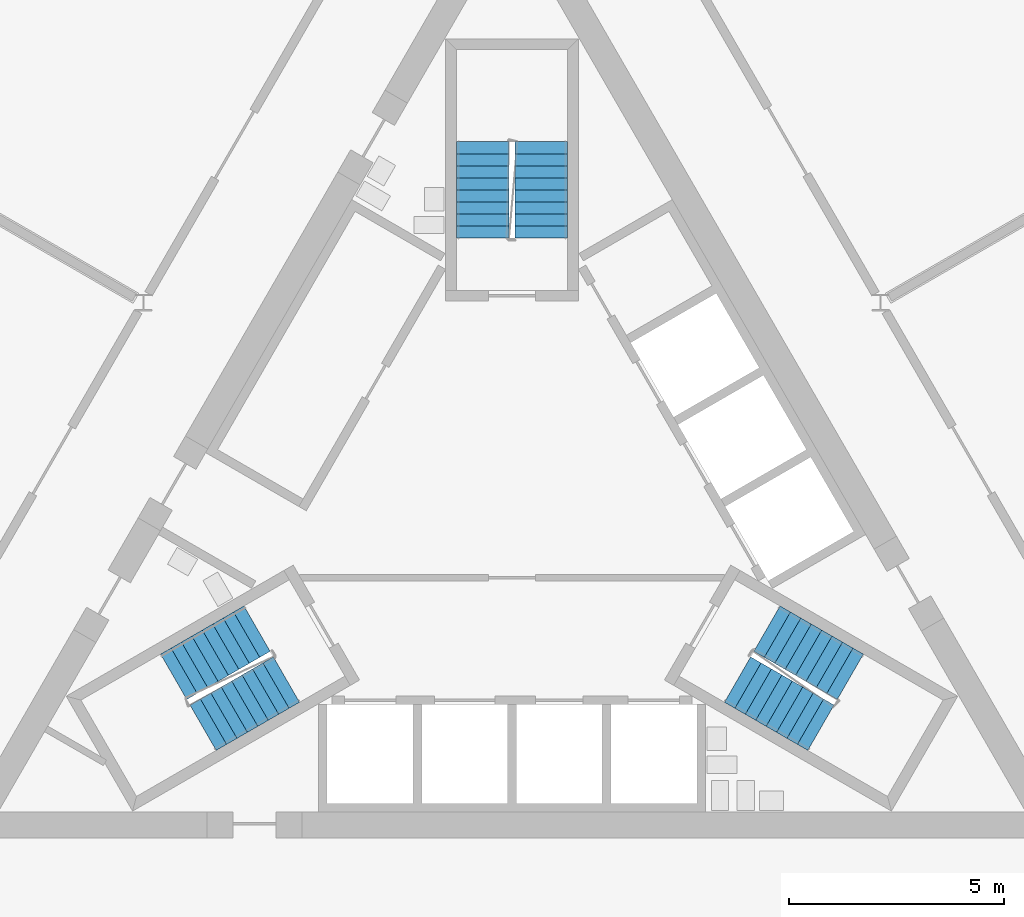
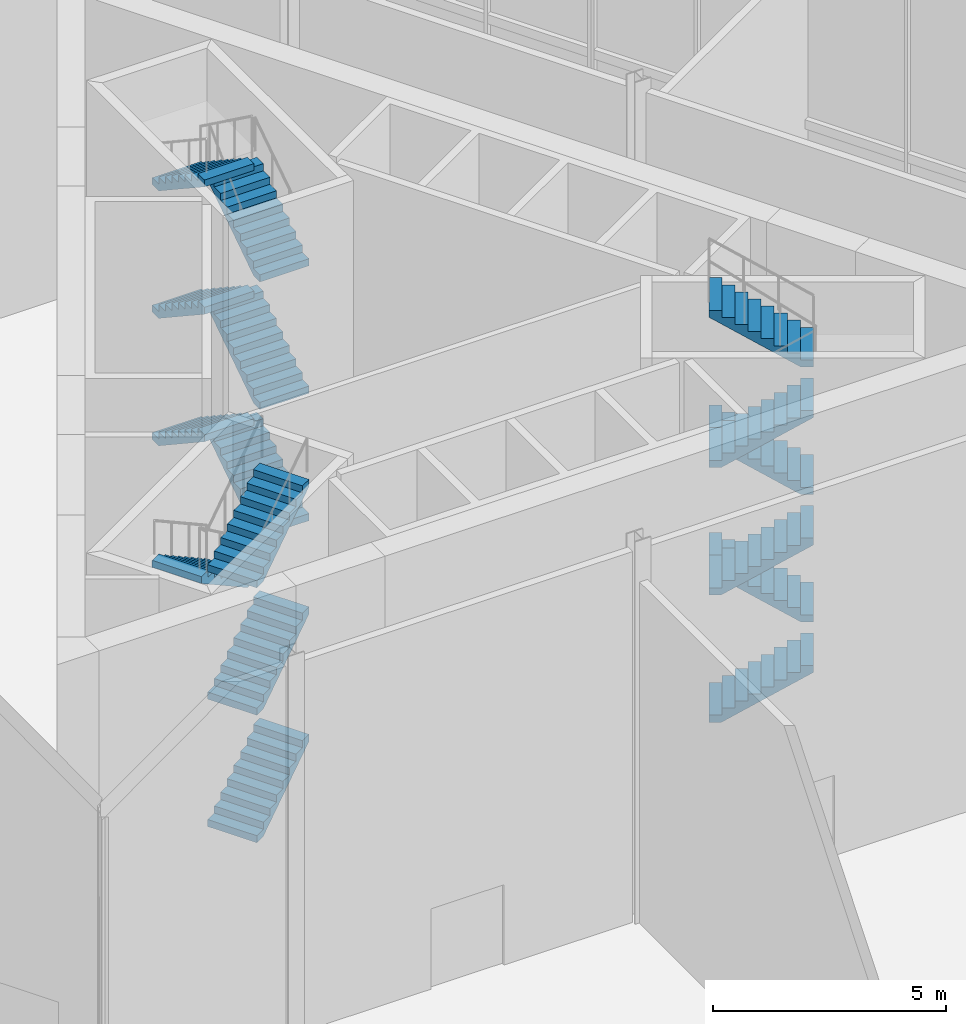
# One storey, part 11 of 18: 16 stair flights, 3 elements without a shape of their own.
"""IFC4 building model written with IfcOpenShell, lengths in metres."""

from ifc_helpers import new_model, si_unit, direction, frame, origin, place, context, subcontext, project, spatial, polyline, outline, extrude, material, type_object, element, aggregate, save


model = new_model("IFC4")

# Units and contexts
model_context = context("Model", 3, precision=1e-05, world=origin(), true_north=direction((0.0, 1.0)))
body_context = subcontext(model_context, "Body", "Model", "MODEL_VIEW")
ifc_project = project(units=[si_unit("LENGTHUNIT", "METRE"), si_unit("AREAUNIT", "SQUARE_METRE"), si_unit("VOLUMEUNIT", "CUBIC_METRE"), si_unit("PLANEANGLEUNIT", "RADIAN"), si_unit("MASSUNIT", "GRAM", prefix="KILO")], contexts=[model_context])

# Site, building, storey
site_placement = place(None, origin())
site = spatial("IfcSite", under=ifc_project, at=site_placement, CompositionType="ELEMENT")
building_placement = place(site_placement, origin())
building = spatial("IfcBuilding", under=site, at=building_placement, Name="Cormorant Prow Tower", CompositionType="ELEMENT")
storey_placement = place(building_placement, frame((0.0, 0.0, 346.0)))
storey = spatial("IfcBuildingStorey", under=building, at=storey_placement, Name="L78", CompositionType="ELEMENT", Elevation=346.0)

# Stair, stair flights
ifc_material_1 = material(Name="Exit stair 54 risers")
stair_type = type_object("IfcStairType", Name="Exit stair 54 risers", PredefinedType="HALF_TURN_STAIR", material=ifc_material_1)
stair_1_placement = place(storey_placement, origin())
stair_1 = element("IfcStair", 1, at=stair_1_placement, inside=storey, type_object=stair_type, Name="L78 Exit stair ST1", PredefinedType="HALF_TURN_STAIR")
ifc_material_2 = material(Name="Concrete 5000 psi", Category="concrete")
stair_flight_type = type_object("IfcStairFlightType", Name="Stair flight 1219", PredefinedType="STRAIGHT", material=ifc_material_2)
stair_flight_1_placement = place(storey_placement, frame((-7.1884765625, -4.940673828125, 1.666748046875), z_axis=(0.0, 0.0, 1.0), x_axis=(0.866025403784, 0.5, 0.0)))
stair_flight_1 = element("IfcStairFlight", 2, at=stair_flight_1_placement, type_object=stair_flight_type, Name="ST1 flight 2", NumberOfRisers=9, NumberOfTreads=8, PredefinedType="STRAIGHT", RiserHeight=0.185185185, TreadLength=0.28, context=body_context, shape_type="SweptSolid", body=[
    extrude(outline(polyline([(0.0, 0.0), (0.0, 0.185302734375), (0.280029296875, 0.185302734375), (0.280029296875, 0.370361328125), (0.56005859375, 0.370361328125), (0.56005859375, 0.5556640625), (0.840087890625, 0.5556640625), (0.840087890625, 0.74072265625), (1.1201171875, 0.74072265625), (1.1201171875, 0.926025390625), (1.39990234375, 0.926025390625), (1.39990234375, 1.111083984375), (1.679931640625, 1.111083984375), (1.679931640625, 1.29638671875), (1.9599609375, 1.29638671875), (1.9599609375, 1.4814453125), (2.239990234375, 1.4814453125), (2.239990234375, 1.666748046875), (2.239990234375, 1.3017578125), (0.271728515625, 0.0), (0.0, 0.0)])), frame((0.0, 0.609375, 0.0), z_axis=(0.0, -1.0, 0.0), x_axis=(1.0, 0.0, 0.0)), (0.0, 0.0, 1.0), 1.218994140625),
])
stair_flight_2_placement = place(storey_placement, frame((-7.1884765625, -4.940673828125, 5.0), z_axis=(0.0, 0.0, 1.0), x_axis=(0.866025403784, 0.5, 0.0)))
stair_flight_2 = element("IfcStairFlight", 3, at=stair_flight_2_placement, type_object=stair_flight_type, Name="ST1 flight 4", NumberOfRisers=9, NumberOfTreads=8, PredefinedType="STRAIGHT", RiserHeight=0.185185185, TreadLength=0.28, context=body_context, shape_type="SweptSolid", body=[
    extrude(outline(polyline([(0.0, 0.0), (0.0, 0.185302734375), (0.280029296875, 0.185302734375), (0.280029296875, 0.370361328125), (0.56005859375, 0.370361328125), (0.56005859375, 0.5556640625), (0.840087890625, 0.5556640625), (0.840087890625, 0.74072265625), (1.1201171875, 0.74072265625), (1.1201171875, 0.926025390625), (1.39990234375, 0.926025390625), (1.39990234375, 1.111083984375), (1.679931640625, 1.111083984375), (1.679931640625, 1.29638671875), (1.9599609375, 1.29638671875), (1.9599609375, 1.4814453125), (2.239990234375, 1.4814453125), (2.239990234375, 1.666748046875), (2.239990234375, 1.3017578125), (0.271728515625, 0.0), (0.0, 0.0)])), frame((0.0, 0.609375, 0.0), z_axis=(0.0, -1.0, 0.0), x_axis=(1.0, 0.0, 0.0)), (0.0, 0.0, 1.0), 1.218994140625),
])
stair_flight_3_placement = place(storey_placement, frame((-5.93310546875, -2.635009765625, 6.666748046875), z_axis=(0.0, 0.0, 1.0), x_axis=(-0.866025403784, -0.5, 0.0)))
stair_flight_3 = element("IfcStairFlight", 4, at=stair_flight_3_placement, type_object=stair_flight_type, Name="ST1 flight 5", NumberOfRisers=9, NumberOfTreads=8, PredefinedType="STRAIGHT", RiserHeight=0.185185185, TreadLength=0.28, context=body_context, shape_type="SweptSolid", body=[
    extrude(outline(polyline([(0.0, 0.0), (0.0, 0.185302734375), (0.280029296875, 0.185302734375), (0.280029296875, 0.370361328125), (0.56005859375, 0.370361328125), (0.56005859375, 0.5556640625), (0.840087890625, 0.5556640625), (0.840087890625, 0.74072265625), (1.1201171875, 0.74072265625), (1.1201171875, 0.926025390625), (1.39990234375, 0.926025390625), (1.39990234375, 1.111083984375), (1.679931640625, 1.111083984375), (1.679931640625, 1.29638671875), (1.9599609375, 1.29638671875), (1.9599609375, 1.4814453125), (2.239990234375, 1.4814453125), (2.239990234375, 1.666748046875), (2.239990234375, 1.3017578125), (0.271728515625, 0.0), (0.0, 0.0)])), frame((0.0, 0.609375, 0.0), z_axis=(0.0, -1.0, 0.0), x_axis=(1.0, 0.0, 0.0)), (0.0, 0.0, 1.0), 1.218994140625),
])
stair_flight_4_placement = place(storey_placement, frame((-7.1884765625, -4.940673828125, 8.333251953125), z_axis=(0.0, 0.0, 1.0), x_axis=(0.866025403784, 0.5, 0.0)))
stair_flight_4 = element("IfcStairFlight", 5, at=stair_flight_4_placement, type_object=stair_flight_type, Name="ST1 flight 6", NumberOfRisers=9, NumberOfTreads=8, PredefinedType="STRAIGHT", RiserHeight=0.185185185, TreadLength=0.28, context=body_context, shape_type="SweptSolid", body=[
    extrude(outline(polyline([(0.0, 0.0), (0.0, 0.185302734375), (0.280029296875, 0.185302734375), (0.280029296875, 0.370361328125), (0.56005859375, 0.370361328125), (0.56005859375, 0.5556640625), (0.840087890625, 0.5556640625), (0.840087890625, 0.74072265625), (1.1201171875, 0.74072265625), (1.1201171875, 0.926025390625), (1.39990234375, 0.926025390625), (1.39990234375, 1.111083984375), (1.679931640625, 1.111083984375), (1.679931640625, 1.29638671875), (1.9599609375, 1.29638671875), (1.9599609375, 1.4814453125), (2.239990234375, 1.4814453125), (2.239990234375, 1.666748046875), (2.239990234375, 1.3017578125), (0.271728515625, 0.0), (0.0, 0.0)])), frame((0.0, 0.609375, 0.0), z_axis=(0.0, -1.0, 0.0), x_axis=(1.0, 0.0, 0.0)), (0.0, 0.0, 1.0), 1.218994140625),
])
aggregate(stair_1, [stair_flight_1, stair_flight_2, stair_flight_3, stair_flight_4])

stair_2_placement = place(storey_placement, origin())
stair_2 = element("IfcStair", 6, at=stair_2_placement, inside=storey, type_object=stair_type, Name="L78 Exit stair ST2", PredefinedType="HALF_TURN_STAIR")
stair_flight_5_placement = place(storey_placement, frame((5.24853515625, -3.82080078125, 0.0), z_axis=(0.0, 0.0, 1.0), x_axis=(0.866025403784, -0.5, 0.0)))
stair_flight_5 = element("IfcStairFlight", 7, at=stair_flight_5_placement, type_object=stair_flight_type, Name="ST2 flight 1", NumberOfRisers=9, NumberOfTreads=8, PredefinedType="STRAIGHT", RiserHeight=0.185185185, TreadLength=0.28, context=body_context, shape_type="SweptSolid", body=[
    extrude(outline(polyline([(0.0, 0.0), (0.0, 0.185302734375), (0.280029296875, 0.185302734375), (0.280029296875, 0.370361328125), (0.56005859375, 0.370361328125), (0.56005859375, 0.5556640625), (0.840087890625, 0.5556640625), (0.840087890625, 0.74072265625), (1.1201171875, 0.74072265625), (1.1201171875, 0.926025390625), (1.39990234375, 0.926025390625), (1.39990234375, 1.111083984375), (1.679931640625, 1.111083984375), (1.679931640625, 1.29638671875), (1.9599609375, 1.29638671875), (1.9599609375, 1.4814453125), (2.239990234375, 1.4814453125), (2.239990234375, 1.666748046875), (2.239990234375, 1.3017578125), (0.271728515625, 0.0), (0.0, 0.0)])), frame((0.0, 0.609375, 0.0), z_axis=(0.0, -1.0, 0.0), x_axis=(1.0, 0.0, 0.0)), (0.0, 0.0, 1.0), 1.218994140625),
])
stair_flight_6_placement = place(storey_placement, frame((7.873046875, -3.755126953125, 1.666748046875), z_axis=(0.0, 0.0, 1.0), x_axis=(-0.866025403784, 0.5, 0.0)))
stair_flight_6 = element("IfcStairFlight", 8, at=stair_flight_6_placement, type_object=stair_flight_type, Name="ST2 flight 2", NumberOfRisers=9, NumberOfTreads=8, PredefinedType="STRAIGHT", RiserHeight=0.185185185, TreadLength=0.28, context=body_context, shape_type="SweptSolid", body=[
    extrude(outline(polyline([(0.0, 0.0), (0.0, 0.185302734375), (0.280029296875, 0.185302734375), (0.280029296875, 0.370361328125), (0.56005859375, 0.370361328125), (0.56005859375, 0.5556640625), (0.840087890625, 0.5556640625), (0.840087890625, 0.74072265625), (1.1201171875, 0.74072265625), (1.1201171875, 0.926025390625), (1.39990234375, 0.926025390625), (1.39990234375, 1.111083984375), (1.679931640625, 1.111083984375), (1.679931640625, 1.29638671875), (1.9599609375, 1.29638671875), (1.9599609375, 1.4814453125), (2.239990234375, 1.4814453125), (2.239990234375, 1.666748046875), (2.239990234375, 1.3017578125), (0.271728515625, 0.0), (0.0, 0.0)])), frame((0.0, 0.609375, 0.0), z_axis=(0.0, -1.0, 0.0), x_axis=(1.0, 0.0, 0.0)), (0.0, 0.0, 1.0), 1.218994140625),
])
stair_flight_7_placement = place(storey_placement, frame((5.24853515625, -3.82080078125, 3.333251953125), z_axis=(0.0, 0.0, 1.0), x_axis=(0.866025403784, -0.5, 0.0)))
stair_flight_7 = element("IfcStairFlight", 9, at=stair_flight_7_placement, type_object=stair_flight_type, Name="ST2 flight 3", NumberOfRisers=9, NumberOfTreads=8, PredefinedType="STRAIGHT", RiserHeight=0.185185185, TreadLength=0.28, context=body_context, shape_type="SweptSolid", body=[
    extrude(outline(polyline([(0.0, 0.0), (0.0, 0.185302734375), (0.280029296875, 0.185302734375), (0.280029296875, 0.370361328125), (0.56005859375, 0.370361328125), (0.56005859375, 0.5556640625), (0.840087890625, 0.5556640625), (0.840087890625, 0.74072265625), (1.1201171875, 0.74072265625), (1.1201171875, 0.926025390625), (1.39990234375, 0.926025390625), (1.39990234375, 1.111083984375), (1.679931640625, 1.111083984375), (1.679931640625, 1.29638671875), (1.9599609375, 1.29638671875), (1.9599609375, 1.4814453125), (2.239990234375, 1.4814453125), (2.239990234375, 1.666748046875), (2.239990234375, 1.3017578125), (0.271728515625, 0.0), (0.0, 0.0)])), frame((0.0, 0.609375, 0.0), z_axis=(0.0, -1.0, 0.0), x_axis=(1.0, 0.0, 0.0)), (0.0, 0.0, 1.0), 1.218994140625),
])
stair_flight_8_placement = place(storey_placement, frame((7.873046875, -3.755126953125, 5.0), z_axis=(0.0, 0.0, 1.0), x_axis=(-0.866025403784, 0.5, 0.0)))
stair_flight_8 = element("IfcStairFlight", 10, at=stair_flight_8_placement, type_object=stair_flight_type, Name="ST2 flight 4", NumberOfRisers=9, NumberOfTreads=8, PredefinedType="STRAIGHT", RiserHeight=0.185185185, TreadLength=0.28, context=body_context, shape_type="SweptSolid", body=[
    extrude(outline(polyline([(0.0, 0.0), (0.0, 0.185302734375), (0.280029296875, 0.185302734375), (0.280029296875, 0.370361328125), (0.56005859375, 0.370361328125), (0.56005859375, 0.5556640625), (0.840087890625, 0.5556640625), (0.840087890625, 0.74072265625), (1.1201171875, 0.74072265625), (1.1201171875, 0.926025390625), (1.39990234375, 0.926025390625), (1.39990234375, 1.111083984375), (1.679931640625, 1.111083984375), (1.679931640625, 1.29638671875), (1.9599609375, 1.29638671875), (1.9599609375, 1.4814453125), (2.239990234375, 1.4814453125), (2.239990234375, 1.666748046875), (2.239990234375, 1.3017578125), (0.271728515625, 0.0), (0.0, 0.0)])), frame((0.0, 0.609375, 0.0), z_axis=(0.0, -1.0, 0.0), x_axis=(1.0, 0.0, 0.0)), (0.0, 0.0, 1.0), 1.218994140625),
])
stair_flight_9_placement = place(storey_placement, frame((5.24853515625, -3.82080078125, 6.666748046875), z_axis=(0.0, 0.0, 1.0), x_axis=(0.866025403784, -0.5, 0.0)))
stair_flight_9 = element("IfcStairFlight", 11, at=stair_flight_9_placement, type_object=stair_flight_type, Name="ST2 flight 5", NumberOfRisers=9, NumberOfTreads=8, PredefinedType="STRAIGHT", RiserHeight=0.185185185, TreadLength=0.28, context=body_context, shape_type="SweptSolid", body=[
    extrude(outline(polyline([(0.0, 0.0), (0.0, 0.185302734375), (0.280029296875, 0.185302734375), (0.280029296875, 0.370361328125), (0.56005859375, 0.370361328125), (0.56005859375, 0.5556640625), (0.840087890625, 0.5556640625), (0.840087890625, 0.74072265625), (1.1201171875, 0.74072265625), (1.1201171875, 0.926025390625), (1.39990234375, 0.926025390625), (1.39990234375, 1.111083984375), (1.679931640625, 1.111083984375), (1.679931640625, 1.29638671875), (1.9599609375, 1.29638671875), (1.9599609375, 1.4814453125), (2.239990234375, 1.4814453125), (2.239990234375, 1.666748046875), (2.239990234375, 1.3017578125), (0.271728515625, 0.0), (0.0, 0.0)])), frame((0.0, 0.609375, 0.0), z_axis=(0.0, -1.0, 0.0), x_axis=(1.0, 0.0, 0.0)), (0.0, 0.0, 1.0), 1.218994140625),
])
stair_flight_10_placement = place(storey_placement, frame((7.873046875, -3.755126953125, 8.333251953125), z_axis=(0.0, 0.0, 1.0), x_axis=(-0.866025403784, 0.5, 0.0)))
stair_flight_10 = element("IfcStairFlight", 12, at=stair_flight_10_placement, type_object=stair_flight_type, Name="ST2 flight 6", NumberOfRisers=9, NumberOfTreads=8, PredefinedType="STRAIGHT", RiserHeight=0.185185185, TreadLength=0.28, context=body_context, shape_type="SweptSolid", body=[
    extrude(outline(polyline([(0.0, 0.0), (0.0, 0.185302734375), (0.280029296875, 0.185302734375), (0.280029296875, 0.370361328125), (0.56005859375, 0.370361328125), (0.56005859375, 0.5556640625), (0.840087890625, 0.5556640625), (0.840087890625, 0.74072265625), (1.1201171875, 0.74072265625), (1.1201171875, 0.926025390625), (1.39990234375, 0.926025390625), (1.39990234375, 1.111083984375), (1.679931640625, 1.111083984375), (1.679931640625, 1.29638671875), (1.9599609375, 1.29638671875), (1.9599609375, 1.4814453125), (2.239990234375, 1.4814453125), (2.239990234375, 1.666748046875), (2.239990234375, 1.3017578125), (0.271728515625, 0.0), (0.0, 0.0)])), frame((0.0, 0.609375, 0.0), z_axis=(0.0, -1.0, 0.0), x_axis=(1.0, 0.0, 0.0)), (0.0, 0.0, 1.0), 1.218994140625),
])
aggregate(stair_2, [stair_flight_5, stair_flight_6, stair_flight_7, stair_flight_8, stair_flight_9, stair_flight_10])

stair_3_placement = place(storey_placement, origin())
stair_3 = element("IfcStair", 13, at=stair_3_placement, inside=storey, type_object=stair_type, Name="L78 Exit stair ST3", PredefinedType="HALF_TURN_STAIR")
stair_flight_11_placement = place(storey_placement, frame((0.6845703125, 6.455810546875, 0.0), z_axis=(0.0, 0.0, 1.0), x_axis=(0.0, 1.0, 0.0)))
stair_flight_11 = element("IfcStairFlight", 14, at=stair_flight_11_placement, type_object=stair_flight_type, Name="ST3 flight 1", NumberOfRisers=9, NumberOfTreads=8, PredefinedType="STRAIGHT", RiserHeight=0.185185185, TreadLength=0.28, context=body_context, shape_type="SweptSolid", body=[
    extrude(outline(polyline([(0.0, 0.0), (0.0, 0.185302734375), (0.280029296875, 0.185302734375), (0.280029296875, 0.370361328125), (0.56005859375, 0.370361328125), (0.56005859375, 0.5556640625), (0.840087890625, 0.5556640625), (0.840087890625, 0.74072265625), (1.1201171875, 0.74072265625), (1.1201171875, 0.926025390625), (1.39990234375, 0.926025390625), (1.39990234375, 1.111083984375), (1.679931640625, 1.111083984375), (1.679931640625, 1.29638671875), (1.9599609375, 1.29638671875), (1.9599609375, 1.4814453125), (2.239990234375, 1.4814453125), (2.239990234375, 1.666748046875), (2.239990234375, 1.3017578125), (0.271728515625, 0.0), (0.0, 0.0)])), frame((0.0, 0.609375, 0.0), z_axis=(0.0, -1.0, 0.0), x_axis=(1.0, 0.0, 0.0)), (0.0, 0.0, 1.0), 1.218994140625),
])
stair_flight_12_placement = place(storey_placement, frame((-0.6845703125, 8.69580078125, 1.666748046875), z_axis=(0.0, 0.0, 1.0), x_axis=(0.0, -1.0, 0.0)))
stair_flight_12 = element("IfcStairFlight", 15, at=stair_flight_12_placement, type_object=stair_flight_type, Name="ST3 flight 2", NumberOfRisers=9, NumberOfTreads=8, PredefinedType="STRAIGHT", RiserHeight=0.185185185, TreadLength=0.28, context=body_context, shape_type="SweptSolid", body=[
    extrude(outline(polyline([(0.0, 0.0), (0.0, 0.185302734375), (0.280029296875, 0.185302734375), (0.280029296875, 0.370361328125), (0.56005859375, 0.370361328125), (0.56005859375, 0.5556640625), (0.840087890625, 0.5556640625), (0.840087890625, 0.74072265625), (1.1201171875, 0.74072265625), (1.1201171875, 0.926025390625), (1.39990234375, 0.926025390625), (1.39990234375, 1.111083984375), (1.679931640625, 1.111083984375), (1.679931640625, 1.29638671875), (1.9599609375, 1.29638671875), (1.9599609375, 1.4814453125), (2.239990234375, 1.4814453125), (2.239990234375, 1.666748046875), (2.239990234375, 1.3017578125), (0.271728515625, 0.0), (0.0, 0.0)])), frame((0.0, 0.609375, 0.0), z_axis=(0.0, -1.0, 0.0), x_axis=(1.0, 0.0, 0.0)), (0.0, 0.0, 1.0), 1.218994140625),
])
stair_flight_13_placement = place(storey_placement, frame((0.6845703125, 6.455810546875, 3.333251953125), z_axis=(0.0, 0.0, 1.0), x_axis=(0.0, 1.0, 0.0)))
stair_flight_13 = element("IfcStairFlight", 16, at=stair_flight_13_placement, type_object=stair_flight_type, Name="ST3 flight 3", NumberOfRisers=9, NumberOfTreads=8, PredefinedType="STRAIGHT", RiserHeight=0.185185185, TreadLength=0.28, context=body_context, shape_type="SweptSolid", body=[
    extrude(outline(polyline([(0.0, 0.0), (0.0, 0.185302734375), (0.280029296875, 0.185302734375), (0.280029296875, 0.370361328125), (0.56005859375, 0.370361328125), (0.56005859375, 0.5556640625), (0.840087890625, 0.5556640625), (0.840087890625, 0.74072265625), (1.1201171875, 0.74072265625), (1.1201171875, 0.926025390625), (1.39990234375, 0.926025390625), (1.39990234375, 1.111083984375), (1.679931640625, 1.111083984375), (1.679931640625, 1.29638671875), (1.9599609375, 1.29638671875), (1.9599609375, 1.4814453125), (2.239990234375, 1.4814453125), (2.239990234375, 1.666748046875), (2.239990234375, 1.3017578125), (0.271728515625, 0.0), (0.0, 0.0)])), frame((0.0, 0.609375, 0.0), z_axis=(0.0, -1.0, 0.0), x_axis=(1.0, 0.0, 0.0)), (0.0, 0.0, 1.0), 1.218994140625),
])
stair_flight_14_placement = place(storey_placement, frame((-0.6845703125, 8.69580078125, 5.0), z_axis=(0.0, 0.0, 1.0), x_axis=(0.0, -1.0, 0.0)))
stair_flight_14 = element("IfcStairFlight", 17, at=stair_flight_14_placement, type_object=stair_flight_type, Name="ST3 flight 4", NumberOfRisers=9, NumberOfTreads=8, PredefinedType="STRAIGHT", RiserHeight=0.185185185, TreadLength=0.28, context=body_context, shape_type="SweptSolid", body=[
    extrude(outline(polyline([(0.0, 0.0), (0.0, 0.185302734375), (0.280029296875, 0.185302734375), (0.280029296875, 0.370361328125), (0.56005859375, 0.370361328125), (0.56005859375, 0.5556640625), (0.840087890625, 0.5556640625), (0.840087890625, 0.74072265625), (1.1201171875, 0.74072265625), (1.1201171875, 0.926025390625), (1.39990234375, 0.926025390625), (1.39990234375, 1.111083984375), (1.679931640625, 1.111083984375), (1.679931640625, 1.29638671875), (1.9599609375, 1.29638671875), (1.9599609375, 1.4814453125), (2.239990234375, 1.4814453125), (2.239990234375, 1.666748046875), (2.239990234375, 1.3017578125), (0.271728515625, 0.0), (0.0, 0.0)])), frame((0.0, 0.609375, 0.0), z_axis=(0.0, -1.0, 0.0), x_axis=(1.0, 0.0, 0.0)), (0.0, 0.0, 1.0), 1.218994140625),
])
stair_flight_15_placement = place(storey_placement, frame((0.6845703125, 6.455810546875, 6.666748046875), z_axis=(0.0, 0.0, 1.0), x_axis=(0.0, 1.0, 0.0)))
stair_flight_15 = element("IfcStairFlight", 18, at=stair_flight_15_placement, type_object=stair_flight_type, Name="ST3 flight 5", NumberOfRisers=9, NumberOfTreads=8, PredefinedType="STRAIGHT", RiserHeight=0.185185185, TreadLength=0.28, context=body_context, shape_type="SweptSolid", body=[
    extrude(outline(polyline([(0.0, 0.0), (0.0, 0.185302734375), (0.280029296875, 0.185302734375), (0.280029296875, 0.370361328125), (0.56005859375, 0.370361328125), (0.56005859375, 0.5556640625), (0.840087890625, 0.5556640625), (0.840087890625, 0.74072265625), (1.1201171875, 0.74072265625), (1.1201171875, 0.926025390625), (1.39990234375, 0.926025390625), (1.39990234375, 1.111083984375), (1.679931640625, 1.111083984375), (1.679931640625, 1.29638671875), (1.9599609375, 1.29638671875), (1.9599609375, 1.4814453125), (2.239990234375, 1.4814453125), (2.239990234375, 1.666748046875), (2.239990234375, 1.3017578125), (0.271728515625, 0.0), (0.0, 0.0)])), frame((0.0, 0.609375, 0.0), z_axis=(0.0, -1.0, 0.0), x_axis=(1.0, 0.0, 0.0)), (0.0, 0.0, 1.0), 1.218994140625),
])
stair_flight_16_placement = place(storey_placement, frame((-0.6845703125, 8.69580078125, 8.333251953125), z_axis=(0.0, 0.0, 1.0), x_axis=(0.0, -1.0, 0.0)))
stair_flight_16 = element("IfcStairFlight", 19, at=stair_flight_16_placement, type_object=stair_flight_type, Name="ST3 flight 6", NumberOfRisers=9, NumberOfTreads=8, PredefinedType="STRAIGHT", RiserHeight=0.185185185, TreadLength=0.28, context=body_context, shape_type="SweptSolid", body=[
    extrude(outline(polyline([(0.0, 0.0), (0.0, 0.185302734375), (0.280029296875, 0.185302734375), (0.280029296875, 0.370361328125), (0.56005859375, 0.370361328125), (0.56005859375, 0.5556640625), (0.840087890625, 0.5556640625), (0.840087890625, 0.74072265625), (1.1201171875, 0.74072265625), (1.1201171875, 0.926025390625), (1.39990234375, 0.926025390625), (1.39990234375, 1.111083984375), (1.679931640625, 1.111083984375), (1.679931640625, 1.29638671875), (1.9599609375, 1.29638671875), (1.9599609375, 1.4814453125), (2.239990234375, 1.4814453125), (2.239990234375, 1.666748046875), (2.239990234375, 1.3017578125), (0.271728515625, 0.0), (0.0, 0.0)])), frame((0.0, 0.609375, 0.0), z_axis=(0.0, -1.0, 0.0), x_axis=(1.0, 0.0, 0.0)), (0.0, 0.0, 1.0), 1.218994140625),
])
aggregate(stair_3, [stair_flight_11, stair_flight_12, stair_flight_13, stair_flight_14, stair_flight_15, stair_flight_16])

save(model, "model.ifc")
